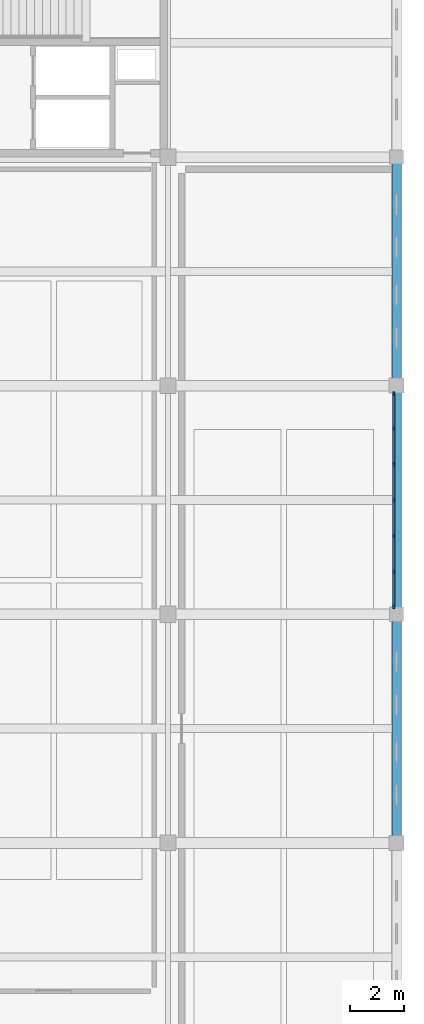
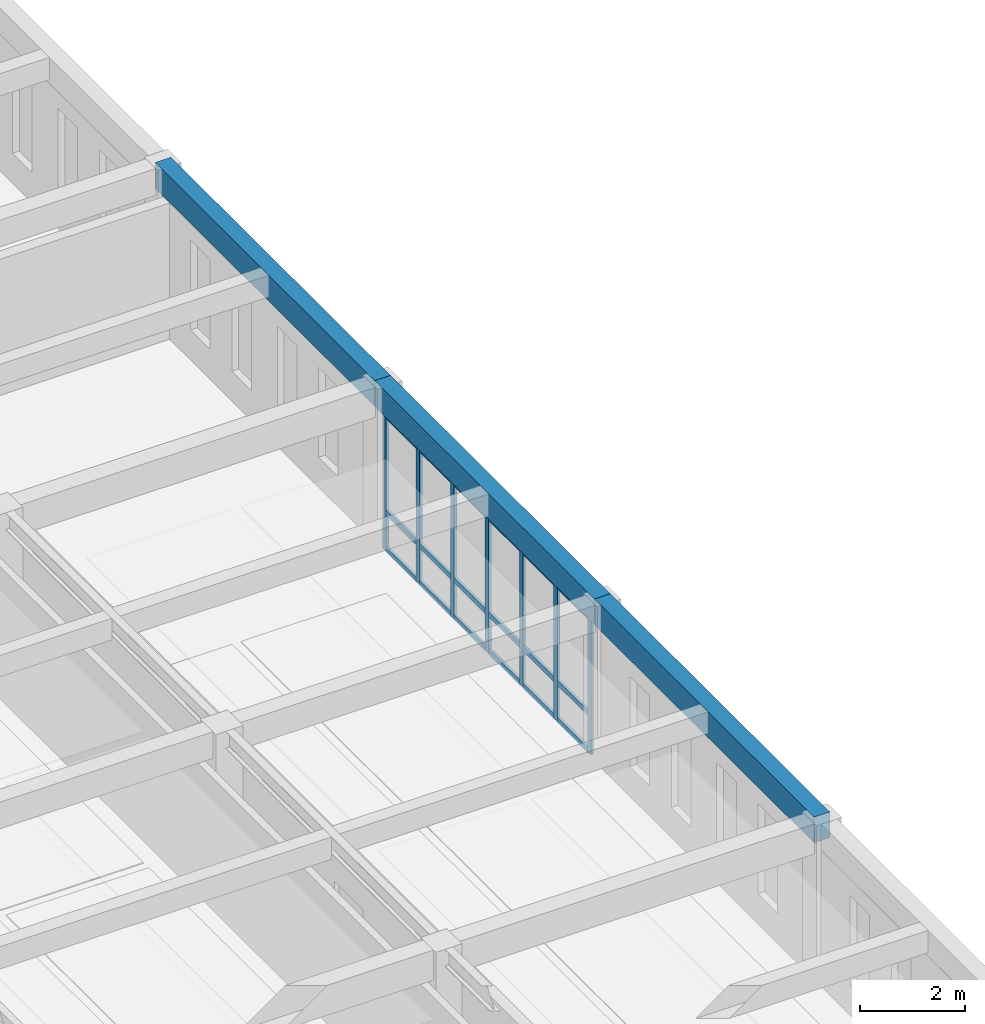
# One storey, part 9 of 56: 25 members, 3 beams, 1 element without a shape of its own.
"""IFC4 building model written with IfcOpenShell, lengths in metres."""

from ifc_helpers import new_model, si_unit, direction, frame, origin, origin_2d, place, context, subcontext, project, spatial, rectangle, extrude, material, layer, layer_set, material_profile, profile_set, type_object, element, aggregate, save


model = new_model("IFC4")

# Units and contexts
model_context = context("Model", 3, precision=1e-05, world=origin(), true_north=direction((0.0, 1.0)))
body_context = subcontext(model_context, "Body", "Model", "MODEL_VIEW")
ifc_project = project(units=[si_unit("LENGTHUNIT", "METRE"), si_unit("AREAUNIT", "SQUARE_METRE"), si_unit("VOLUMEUNIT", "CUBIC_METRE"), si_unit("PLANEANGLEUNIT", "RADIAN"), si_unit("MASSUNIT", "GRAM", prefix="KILO")], contexts=[model_context])

# Site, building, storey
site_placement = place(None, origin())
site = spatial("IfcSite", under=ifc_project, at=site_placement, CompositionType="ELEMENT")
building_placement = place(site_placement, origin())
building = spatial("IfcBuilding", under=site, at=building_placement, Name="Kveldsbrygga Polytechnic", CompositionType="ELEMENT")
storey_placement = place(building_placement, frame((0.0, 0.0, 18.02001953125)))
storey = spatial("IfcBuildingStorey", under=building, at=storey_placement, Name="L04", CompositionType="ELEMENT", Elevation=18.02001953125)

# Beams
ifc_material_1 = material(Name="Concrete C35/45", Category="concrete")
ifc_material_profile_1 = material_profile(ifc_material_1, rectangle(XDim=0.35009765625, YDim=0.60009765625, at=origin_2d()), Name="RC 350x600")
ifc_profile_set_1 = profile_set([ifc_material_profile_1], Name="Concrete C35/45")
beam_type = type_object("IfcBeamType", Name="BM-SPANDREL-600", PredefinedType="T_BEAM", material=ifc_profile_set_1)
beam_1_placement = place(storey_placement, frame((168.0, 50.39990234375, 3.47998046875), z_axis=(0.0, 1.0, 0.0), x_axis=(-1.0, 0.0, 0.0)))
element("IfcBeam", 1, at=beam_1_placement, inside=storey, type_object=beam_type, Name="Primary Beam BMY-L04-20-06to07", PredefinedType="T_BEAM", context=body_context, shape_type="SweptSolid", body=[
    extrude(rectangle(XDim=0.35009765625, YDim=0.60009765625, at=origin_2d()), origin(), (0.0, 0.0, 1.0), 8.400146484375),
])
beam_2_placement = place(storey_placement, frame((168.0, 58.800048828125, 3.47998046875), z_axis=(0.0, 1.0, 0.0), x_axis=(-1.0, 0.0, 0.0)))
element("IfcBeam", 2, at=beam_2_placement, inside=storey, type_object=beam_type, Name="Primary Beam BMY-L04-20-07to08", PredefinedType="T_BEAM", context=body_context, shape_type="SweptSolid", body=[
    extrude(rectangle(XDim=0.35009765625, YDim=0.60009765625, at=origin_2d()), origin(), (0.0, 0.0, 1.0), 8.39990234375),
])
beam_3_placement = place(storey_placement, frame((168.0, 67.199951171875, 3.47998046875), z_axis=(0.0, 1.0, 0.0), x_axis=(-1.0, 0.0, 0.0)))
element("IfcBeam", 3, at=beam_3_placement, inside=storey, type_object=beam_type, Name="Primary Beam BMY-L04-20-08to09", PredefinedType="T_BEAM", context=body_context, shape_type="SweptSolid", body=[
    extrude(rectangle(XDim=0.35009765625, YDim=0.60009765625, at=origin_2d()), origin(), (0.0, 0.0, 1.0), 8.400146484375),
])

# Curtain wall, members
ifc_material_2 = material(Name="Anodised aluminium AW-6060", Category="aluminium")
ifc_layer = layer(ifc_material_2, 0.179931640625)
ifc_layer_set = layer_set([ifc_layer], Name="Anodised aluminium AW-6060")
curtain_wall_type = type_object("IfcCurtainWallType", Name="CW-CONC-A", PredefinedType="USERDEFINED", material=ifc_layer_set)
curtain_wall_placement = place(storey_placement, origin())
curtain_wall = element("IfcCurtainWall", 4, at=curtain_wall_placement, inside=storey, type_object=curtain_wall_type, Name="Curtain Wall CW-L04-Y-20-07", ObjectType="UNITISED CURTAIN WALL", PredefinedType="USERDEFINED")
ifc_material_profile_2 = material_profile(ifc_material_2, rectangle(XDim=0.06005859375, YDim=0.139892578125, at=origin_2d()), Name="ALU 60x140")
ifc_profile_set_2 = profile_set([ifc_material_profile_2], Name="Anodised aluminium AW-6060")
member_type_1 = type_object("IfcMemberType", Name="CW-MUL-140", PredefinedType="MULLION", material=ifc_profile_set_2)
member_1_placement = place(storey_placement, frame((167.89990234375, 59.074951171875, 0.0), z_axis=(0.0, 0.0, 1.0), x_axis=(-1.0, 0.0, 0.0)))
member_1 = element("IfcMember", 5, at=member_1_placement, type_object=member_type_1, Name="CW-01 mullion 1", PredefinedType="MULLION", context=body_context, shape_type="SweptSolid", body=[
    extrude(rectangle(XDim=0.06005859375, YDim=0.139892578125, at=origin_2d()), origin(), (0.0, 0.0, 1.0), 3.179931640625),
])
member_2_placement = place(storey_placement, frame((167.89990234375, 60.36083984375, 0.0), z_axis=(0.0, 0.0, 1.0), x_axis=(-1.0, 0.0, 0.0)))
member_2 = element("IfcMember", 6, at=member_2_placement, type_object=member_type_1, Name="CW-01 mullion 2", PredefinedType="MULLION", context=body_context, shape_type="SweptSolid", body=[
    extrude(rectangle(XDim=0.06005859375, YDim=0.139892578125, at=origin_2d()), origin(), (0.0, 0.0, 1.0), 3.179931640625),
])
member_3_placement = place(storey_placement, frame((167.89990234375, 61.6767578125, 0.0), z_axis=(0.0, 0.0, 1.0), x_axis=(-1.0, 0.0, 0.0)))
member_3 = element("IfcMember", 7, at=member_3_placement, type_object=member_type_1, Name="CW-01 mullion 3", PredefinedType="MULLION", context=body_context, shape_type="SweptSolid", body=[
    extrude(rectangle(XDim=0.06005859375, YDim=0.139892578125, at=origin_2d()), origin(), (0.0, 0.0, 1.0), 3.179931640625),
])
member_4_placement = place(storey_placement, frame((167.89990234375, 62.992431640625, 0.0), z_axis=(0.0, 0.0, 1.0), x_axis=(-1.0, 0.0, 0.0)))
member_4 = element("IfcMember", 8, at=member_4_placement, type_object=member_type_1, Name="CW-01 mullion 4", PredefinedType="MULLION", context=body_context, shape_type="SweptSolid", body=[
    extrude(rectangle(XDim=0.06005859375, YDim=0.139892578125, at=origin_2d()), origin(), (0.0, 0.0, 1.0), 3.179931640625),
])
member_5_placement = place(storey_placement, frame((167.89990234375, 64.308349609375, 0.0), z_axis=(0.0, 0.0, 1.0), x_axis=(-1.0, 0.0, 0.0)))
member_5 = element("IfcMember", 9, at=member_5_placement, type_object=member_type_1, Name="CW-01 mullion 5", PredefinedType="MULLION", context=body_context, shape_type="SweptSolid", body=[
    extrude(rectangle(XDim=0.06005859375, YDim=0.139892578125, at=origin_2d()), origin(), (0.0, 0.0, 1.0), 3.179931640625),
])
member_6_placement = place(storey_placement, frame((167.89990234375, 65.624267578125, 0.0), z_axis=(0.0, 0.0, 1.0), x_axis=(-1.0, 0.0, 0.0)))
member_6 = element("IfcMember", 10, at=member_6_placement, type_object=member_type_1, Name="CW-01 mullion 6", PredefinedType="MULLION", context=body_context, shape_type="SweptSolid", body=[
    extrude(rectangle(XDim=0.06005859375, YDim=0.139892578125, at=origin_2d()), origin(), (0.0, 0.0, 1.0), 3.179931640625),
])
member_7_placement = place(storey_placement, frame((167.89990234375, 66.909912109375, 0.0), z_axis=(0.0, 0.0, 1.0), x_axis=(-1.0, 0.0, 0.0)))
member_7 = element("IfcMember", 11, at=member_7_placement, type_object=member_type_1, Name="CW-01 mullion 7", PredefinedType="MULLION", context=body_context, shape_type="SweptSolid", body=[
    extrude(rectangle(XDim=0.06005859375, YDim=0.139892578125, at=origin_2d()), origin(), (0.0, 0.0, 1.0), 3.179931640625),
])
ifc_material_profile_3 = material_profile(ifc_material_2, rectangle(XDim=0.06005859375, YDim=0.1201171875, at=origin_2d()), Name="ALU 60x120")
ifc_profile_set_3 = profile_set([ifc_material_profile_3], Name="Anodised aluminium AW-6060")
member_type_2 = type_object("IfcMemberType", Name="CW-TRN-120", PredefinedType="USERDEFINED", material=ifc_profile_set_3)
member_8_placement = place(storey_placement, frame((167.89990234375, 59.10498046875, 0.030029296875), z_axis=(0.0, 1.0, 0.0), x_axis=(-1.0, 0.0, 0.0)))
member_8 = element("IfcMember", 12, at=member_8_placement, type_object=member_type_2, Name="CW-01 transom 1.1", ObjectType="TRANSOM", PredefinedType="USERDEFINED", context=body_context, shape_type="SweptSolid", body=[
    extrude(rectangle(XDim=0.06005859375, YDim=0.1201171875, at=origin_2d()), origin(), (0.0, 0.0, 1.0), 1.225830078125),
])
member_9_placement = place(storey_placement, frame((167.89990234375, 59.10498046875, 0.89990234375), z_axis=(0.0, 1.0, 0.0), x_axis=(-1.0, 0.0, 0.0)))
member_9 = element("IfcMember", 13, at=member_9_placement, type_object=member_type_2, Name="CW-01 transom 1.2", ObjectType="TRANSOM", PredefinedType="USERDEFINED", context=body_context, shape_type="SweptSolid", body=[
    extrude(rectangle(XDim=0.06005859375, YDim=0.1201171875, at=origin_2d()), origin(), (0.0, 0.0, 1.0), 1.225830078125),
])
member_10_placement = place(storey_placement, frame((167.89990234375, 59.10498046875, 3.14990234375), z_axis=(0.0, 1.0, 0.0), x_axis=(-1.0, 0.0, 0.0)))
member_10 = element("IfcMember", 14, at=member_10_placement, type_object=member_type_2, Name="CW-01 transom 1.3", ObjectType="TRANSOM", PredefinedType="USERDEFINED", context=body_context, shape_type="SweptSolid", body=[
    extrude(rectangle(XDim=0.06005859375, YDim=0.1201171875, at=origin_2d()), origin(), (0.0, 0.0, 1.0), 1.225830078125),
])
member_11_placement = place(storey_placement, frame((167.89990234375, 60.390869140625, 0.030029296875), z_axis=(0.0, 1.0, 0.0), x_axis=(-1.0, 0.0, 0.0)))
member_11 = element("IfcMember", 15, at=member_11_placement, type_object=member_type_2, Name="CW-01 transom 2.1", ObjectType="TRANSOM", PredefinedType="USERDEFINED", context=body_context, shape_type="SweptSolid", body=[
    extrude(rectangle(XDim=0.06005859375, YDim=0.1201171875, at=origin_2d()), origin(), (0.0, 0.0, 1.0), 1.255859375),
])
member_12_placement = place(storey_placement, frame((167.89990234375, 60.390869140625, 0.89990234375), z_axis=(0.0, 1.0, 0.0), x_axis=(-1.0, 0.0, 0.0)))
member_12 = element("IfcMember", 16, at=member_12_placement, type_object=member_type_2, Name="CW-01 transom 2.2", ObjectType="TRANSOM", PredefinedType="USERDEFINED", context=body_context, shape_type="SweptSolid", body=[
    extrude(rectangle(XDim=0.06005859375, YDim=0.1201171875, at=origin_2d()), origin(), (0.0, 0.0, 1.0), 1.255859375),
])
member_13_placement = place(storey_placement, frame((167.89990234375, 60.390869140625, 3.14990234375), z_axis=(0.0, 1.0, 0.0), x_axis=(-1.0, 0.0, 0.0)))
member_13 = element("IfcMember", 17, at=member_13_placement, type_object=member_type_2, Name="CW-01 transom 2.3", ObjectType="TRANSOM", PredefinedType="USERDEFINED", context=body_context, shape_type="SweptSolid", body=[
    extrude(rectangle(XDim=0.06005859375, YDim=0.1201171875, at=origin_2d()), origin(), (0.0, 0.0, 1.0), 1.255859375),
])
member_14_placement = place(storey_placement, frame((167.89990234375, 61.706787109375, 0.030029296875), z_axis=(0.0, 1.0, 0.0), x_axis=(-1.0, 0.0, 0.0)))
member_14 = element("IfcMember", 18, at=member_14_placement, type_object=member_type_2, Name="CW-01 transom 3.1", ObjectType="TRANSOM", PredefinedType="USERDEFINED", context=body_context, shape_type="SweptSolid", body=[
    extrude(rectangle(XDim=0.06005859375, YDim=0.1201171875, at=origin_2d()), origin(), (0.0, 0.0, 1.0), 1.255615234375),
])
member_15_placement = place(storey_placement, frame((167.89990234375, 61.706787109375, 0.89990234375), z_axis=(0.0, 1.0, 0.0), x_axis=(-1.0, 0.0, 0.0)))
member_15 = element("IfcMember", 19, at=member_15_placement, type_object=member_type_2, Name="CW-01 transom 3.2", ObjectType="TRANSOM", PredefinedType="USERDEFINED", context=body_context, shape_type="SweptSolid", body=[
    extrude(rectangle(XDim=0.06005859375, YDim=0.1201171875, at=origin_2d()), origin(), (0.0, 0.0, 1.0), 1.255615234375),
])
member_16_placement = place(storey_placement, frame((167.89990234375, 61.706787109375, 3.14990234375), z_axis=(0.0, 1.0, 0.0), x_axis=(-1.0, 0.0, 0.0)))
member_16 = element("IfcMember", 20, at=member_16_placement, type_object=member_type_2, Name="CW-01 transom 3.3", ObjectType="TRANSOM", PredefinedType="USERDEFINED", context=body_context, shape_type="SweptSolid", body=[
    extrude(rectangle(XDim=0.06005859375, YDim=0.1201171875, at=origin_2d()), origin(), (0.0, 0.0, 1.0), 1.255615234375),
])
member_17_placement = place(storey_placement, frame((167.89990234375, 63.0224609375, 0.030029296875), z_axis=(0.0, 1.0, 0.0), x_axis=(-1.0, 0.0, 0.0)))
member_17 = element("IfcMember", 21, at=member_17_placement, type_object=member_type_2, Name="CW-01 transom 4.1", ObjectType="TRANSOM", PredefinedType="USERDEFINED", context=body_context, shape_type="SweptSolid", body=[
    extrude(rectangle(XDim=0.06005859375, YDim=0.1201171875, at=origin_2d()), origin(), (0.0, 0.0, 1.0), 1.255859375),
])
member_18_placement = place(storey_placement, frame((167.89990234375, 63.0224609375, 0.89990234375), z_axis=(0.0, 1.0, 0.0), x_axis=(-1.0, 0.0, 0.0)))
member_18 = element("IfcMember", 22, at=member_18_placement, type_object=member_type_2, Name="CW-01 transom 4.2", ObjectType="TRANSOM", PredefinedType="USERDEFINED", context=body_context, shape_type="SweptSolid", body=[
    extrude(rectangle(XDim=0.06005859375, YDim=0.1201171875, at=origin_2d()), origin(), (0.0, 0.0, 1.0), 1.255859375),
])
member_19_placement = place(storey_placement, frame((167.89990234375, 63.0224609375, 3.14990234375), z_axis=(0.0, 1.0, 0.0), x_axis=(-1.0, 0.0, 0.0)))
member_19 = element("IfcMember", 23, at=member_19_placement, type_object=member_type_2, Name="CW-01 transom 4.3", ObjectType="TRANSOM", PredefinedType="USERDEFINED", context=body_context, shape_type="SweptSolid", body=[
    extrude(rectangle(XDim=0.06005859375, YDim=0.1201171875, at=origin_2d()), origin(), (0.0, 0.0, 1.0), 1.255859375),
])
member_20_placement = place(storey_placement, frame((167.89990234375, 64.33837890625, 0.030029296875), z_axis=(0.0, 1.0, 0.0), x_axis=(-1.0, 0.0, 0.0)))
member_20 = element("IfcMember", 24, at=member_20_placement, type_object=member_type_2, Name="CW-01 transom 5.1", ObjectType="TRANSOM", PredefinedType="USERDEFINED", context=body_context, shape_type="SweptSolid", body=[
    extrude(rectangle(XDim=0.06005859375, YDim=0.1201171875, at=origin_2d()), origin(), (0.0, 0.0, 1.0), 1.255859375),
])
member_21_placement = place(storey_placement, frame((167.89990234375, 64.33837890625, 0.89990234375), z_axis=(0.0, 1.0, 0.0), x_axis=(-1.0, 0.0, 0.0)))
member_21 = element("IfcMember", 25, at=member_21_placement, type_object=member_type_2, Name="CW-01 transom 5.2", ObjectType="TRANSOM", PredefinedType="USERDEFINED", context=body_context, shape_type="SweptSolid", body=[
    extrude(rectangle(XDim=0.06005859375, YDim=0.1201171875, at=origin_2d()), origin(), (0.0, 0.0, 1.0), 1.255859375),
])
member_22_placement = place(storey_placement, frame((167.89990234375, 64.33837890625, 3.14990234375), z_axis=(0.0, 1.0, 0.0), x_axis=(-1.0, 0.0, 0.0)))
member_22 = element("IfcMember", 26, at=member_22_placement, type_object=member_type_2, Name="CW-01 transom 5.3", ObjectType="TRANSOM", PredefinedType="USERDEFINED", context=body_context, shape_type="SweptSolid", body=[
    extrude(rectangle(XDim=0.06005859375, YDim=0.1201171875, at=origin_2d()), origin(), (0.0, 0.0, 1.0), 1.255859375),
])
member_23_placement = place(storey_placement, frame((167.89990234375, 65.654052734375, 0.030029296875), z_axis=(0.0, 1.0, 0.0), x_axis=(-1.0, 0.0, 0.0)))
member_23 = element("IfcMember", 27, at=member_23_placement, type_object=member_type_2, Name="CW-01 transom 6.1", ObjectType="TRANSOM", PredefinedType="USERDEFINED", context=body_context, shape_type="SweptSolid", body=[
    extrude(rectangle(XDim=0.06005859375, YDim=0.1201171875, at=origin_2d()), origin(), (0.0, 0.0, 1.0), 1.225830078125),
])
member_24_placement = place(storey_placement, frame((167.89990234375, 65.654052734375, 0.89990234375), z_axis=(0.0, 1.0, 0.0), x_axis=(-1.0, 0.0, 0.0)))
member_24 = element("IfcMember", 28, at=member_24_placement, type_object=member_type_2, Name="CW-01 transom 6.2", ObjectType="TRANSOM", PredefinedType="USERDEFINED", context=body_context, shape_type="SweptSolid", body=[
    extrude(rectangle(XDim=0.06005859375, YDim=0.1201171875, at=origin_2d()), origin(), (0.0, 0.0, 1.0), 1.225830078125),
])
member_25_placement = place(storey_placement, frame((167.89990234375, 65.654052734375, 3.14990234375), z_axis=(0.0, 1.0, 0.0), x_axis=(-1.0, 0.0, 0.0)))
member_25 = element("IfcMember", 29, at=member_25_placement, type_object=member_type_2, Name="CW-01 transom 6.3", ObjectType="TRANSOM", PredefinedType="USERDEFINED", context=body_context, shape_type="SweptSolid", body=[
    extrude(rectangle(XDim=0.06005859375, YDim=0.1201171875, at=origin_2d()), origin(), (0.0, 0.0, 1.0), 1.225830078125),
])
aggregate(curtain_wall, [member_1, member_2, member_3, member_4, member_5, member_6, member_7, member_8, member_9, member_10, member_11, member_12, member_13, member_14, member_15, member_16, member_17, member_18, member_19, member_20, member_21, member_22, member_23, member_24, member_25])

save(model, "model.ifc")
